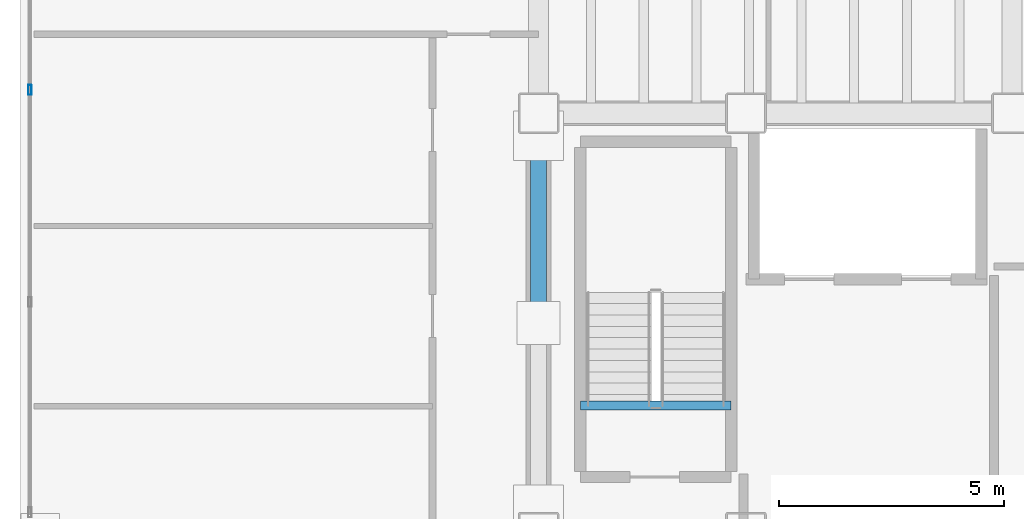
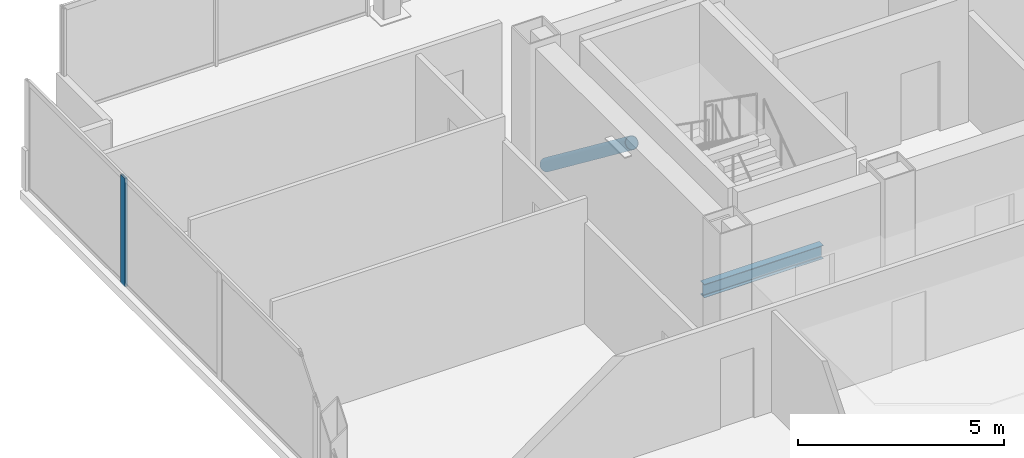
# One storey, part 9 of 24: 2 members, 1 beam, 1 element without a shape of its own.
"""IFC4 building model written with IfcOpenShell, lengths in metres."""

from ifc_helpers import new_model, si_unit, direction, frame, origin, origin_2d, place, context, subcontext, project, spatial, hollow_rectangle, hollow_circle, i_section, extrude, material, material_profile, profile_set, type_object, element, aggregate, save


model = new_model("IFC4")

# Units and contexts
model_context = context("Model", 3, precision=1e-05, world=origin(), true_north=direction((0.0, 1.0)))
body_context = subcontext(model_context, "Body", "Model", "MODEL_VIEW")
ifc_project = project(units=[si_unit("LENGTHUNIT", "METRE"), si_unit("AREAUNIT", "SQUARE_METRE"), si_unit("VOLUMEUNIT", "CUBIC_METRE"), si_unit("PLANEANGLEUNIT", "RADIAN"), si_unit("MASSUNIT", "GRAM", prefix="KILO")], contexts=[model_context])

# Site, building, storey
site_placement = place(None, origin())
site = spatial("IfcSite", under=ifc_project, at=site_placement, CompositionType="ELEMENT")
building_placement = place(site_placement, origin())
building = spatial("IfcBuilding", under=site, at=building_placement, Name="Noeulbin Bourse Tower", CompositionType="ELEMENT")
storey_placement = place(building_placement, frame((0.0, 0.0, 142.199951171875)))
storey = spatial("IfcBuildingStorey", under=building, at=storey_placement, Name="L35", CompositionType="ELEMENT", Elevation=142.199951171875)

# Beam
ifc_material_1 = material(Name="Steel S355", Category="steel")
ifc_material_profile_1 = material_profile(ifc_material_1, i_section(OverallWidth=0.199951171875, OverallDepth=0.39990234375, WebThickness=0.008056640625, FlangeThickness=0.012939453125, FilletRadius=0.01611328125, at=origin_2d()), Name="H-400x200x8x13", Category="LoadBearing")
ifc_profile_set_1 = profile_set([ifc_material_profile_1], Name="Steel S355")
beam_type = type_object("IfcBeamType", Name="BM-SEC-400", PredefinedType="BEAM", material=ifc_profile_set_1)
beam_placement = place(storey_placement, frame((14.429931640625, 31.820068359375, -0.199951171875), z_axis=(1.0, 0.0, 0.0), x_axis=(0.0, 1.0, 0.0)))
element("IfcBeam", 1, at=beam_placement, inside=storey, type_object=beam_type, Name="Stair Threshold Trimmer Beam ST1-L35", PredefinedType="BEAM", context=body_context, shape_type="SweptSolid", body=[
    extrude(i_section(OverallWidth=0.199951171875, OverallDepth=0.39990234375, WebThickness=0.008056640625, FlangeThickness=0.012939453125, FilletRadius=0.01611328125, at=origin_2d()), origin(), (0.0, 0.0, 1.0), 3.340087890625),
])

# Curtain wall, member
ifc_material_2 = material(Name="Dark Tinted Triple Glazing", Category="glass")
curtain_wall_type = type_object("IfcCurtainWallType", Name="CW-SYS-3", PredefinedType="NOTDEFINED", material=ifc_material_2)
curtain_wall_placement = place(storey_placement, origin())
curtain_wall = element("IfcCurtainWall", 2, at=curtain_wall_placement, inside=storey, type_object=curtain_wall_type, Name="Unitised Curtain Wall CW-L35-W-S2", PredefinedType="NOTDEFINED")
ifc_material_3 = material(Name="Anodised Aluminium 6063-T6", Category="aluminium")
ifc_material_profile_2 = material_profile(ifc_material_3, hollow_rectangle(XDim=0.074951171875, YDim=0.219970703125, WallThickness=0.0048828125, InnerFilletRadius=0.00244140625, OuterFilletRadius=0.0048828125, at=origin_2d()), Name="ALU-MULL-75x220x5", Category="LoadBearing")
ifc_profile_set_2 = profile_set([ifc_material_profile_2], Name="Anodised Aluminium 6063-T6")
member_type_1 = type_object("IfcMemberType", Name="CW-SYS-3-MUL", PredefinedType="MULLION", material=ifc_profile_set_2)
member_1_placement = place(storey_placement, frame((2.219970703125, 38.816650390625, -0.02001953125), z_axis=(0.0, 0.0, 1.0), x_axis=(1.0, 0.0, 0.0)))
member_1 = element("IfcMember", 3, at=member_1_placement, type_object=member_type_1, Name="Curtain Wall Mullion CW-L35-W-S2-M02", PredefinedType="MULLION", context=body_context, shape_type="SweptSolid", body=[
    extrude(hollow_rectangle(XDim=0.074951171875, YDim=0.219970703125, WallThickness=0.0048828125, InnerFilletRadius=0.00244140625, OuterFilletRadius=0.0048828125, at=origin_2d()), origin(), (0.0, 0.0, 1.0), 3.219970703125),
])
aggregate(curtain_wall, [member_1])

# Member
ifc_material_profile_3 = material_profile(ifc_material_1, hollow_circle(Radius=0.177734375, WallThickness=0.0126953125, at=origin_2d()), Name="CHS-355.6x12.7", Category="LoadBearing")
ifc_profile_set_3 = profile_set([ifc_material_profile_3], Name="Steel S355")
member_type_2 = type_object("IfcMemberType", Name="MEM-EXO-356", PredefinedType="BRACE", material=ifc_profile_set_3)
member_2_placement = place(storey_placement, frame((13.5, 33.64990234375, 3.3701171875), z_axis=(0.0, 0.794678837667, -0.607030102189), x_axis=(-1.0, 0.0, 0.0)))
element("IfcMember", 4, at=member_2_placement, inside=storey, type_object=member_type_2, Name="Core Flank Chevron Brace XT-L35-W2", PredefinedType="BRACE", context=body_context, shape_type="SweptSolid", body=[
    extrude(hollow_circle(Radius=0.177734375, WallThickness=0.0126953125, at=origin_2d()), origin(), (0.0, 0.0, 1.0), 5.222412109375),
])

save(model, "model.ifc")
